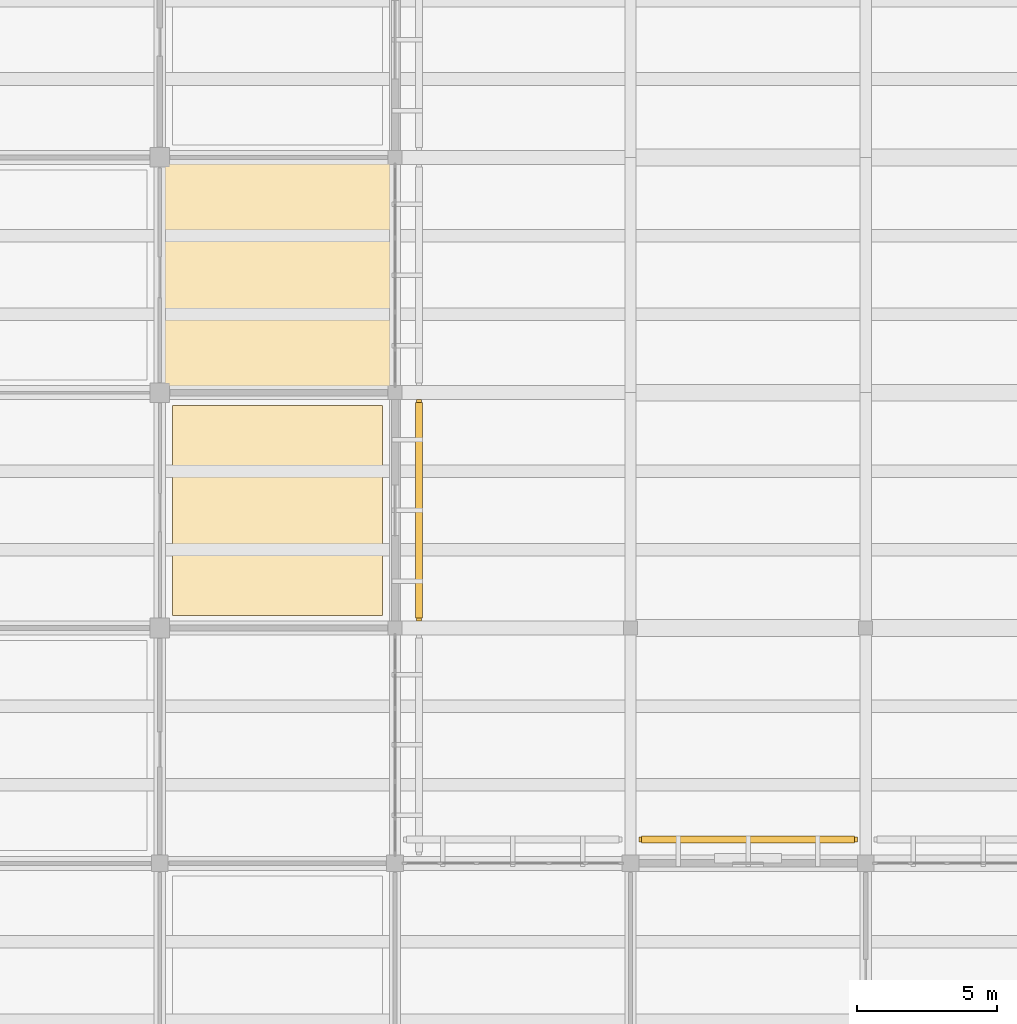
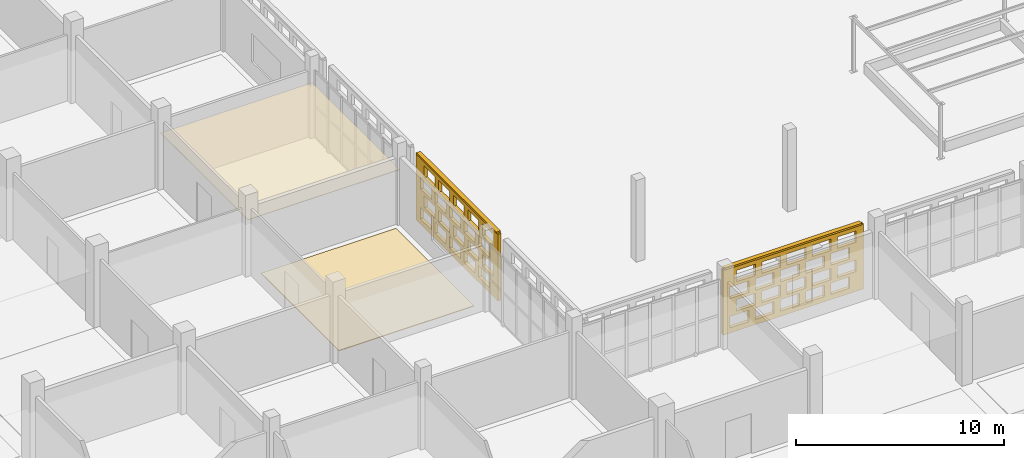
# One storey, part 89 of 129: 4 coverings, 2 shading devices, 40 openings.
"""IFC4 building model written with IfcOpenShell, lengths in metres."""

from ifc_helpers import new_model, si_unit, direction, frame, frame_2d, origin, origin_2d, place, context, subcontext, project, spatial, rectangle, extrude, material, layer, layer_set, type_object, element, save


model = new_model("IFC4")

# Units and contexts
model_context = context("Model", 3, precision=1e-05, world=origin(), true_north=direction((0.0, 1.0)))
body_context = subcontext(model_context, "Body", "Model", "MODEL_VIEW")
ifc_project = project(units=[si_unit("LENGTHUNIT", "METRE"), si_unit("AREAUNIT", "SQUARE_METRE"), si_unit("VOLUMEUNIT", "CUBIC_METRE"), si_unit("PLANEANGLEUNIT", "RADIAN"), si_unit("MASSUNIT", "GRAM", prefix="KILO")], contexts=[model_context])

# Site, building, storey
site_placement = place(None, origin())
site = spatial("IfcSite", under=ifc_project, at=site_placement, CompositionType="ELEMENT")
building_placement = place(site_placement, origin())
building = spatial("IfcBuilding", under=site, at=building_placement, Name="Varnapada Polytechnic", CompositionType="ELEMENT")
storey_placement = place(building_placement, origin())
storey = spatial("IfcBuildingStorey", under=building, at=storey_placement, Name="L00", CompositionType="ELEMENT", Elevation=0.0)

# Coverings
ifc_material_1 = material(Name="Acoustic Rubber Seminar Flooring")
ifc_layer_1 = layer(ifc_material_1, 0.0400390625)
ifc_layer_set_1 = layer_set([ifc_layer_1], Name="Acoustic Rubber Seminar Flooring")
covering_type_1 = type_object("IfcCoveringType", Name="Floor Finish FLR-06", PredefinedType="FLOORING", material=ifc_layer_set_1)
covering_1_placement = place(storey_placement, frame((37.800048828125, 54.60009765625, 0.0), z_axis=(0.0, 0.0, 1.0), x_axis=(1.0, 0.0, 0.0)))
element("IfcCovering", 1, at=covering_1_placement, inside=storey, type_object=covering_type_1, Name="L00 floor finish panel (5,7)", PredefinedType="FLOORING", context=body_context, shape_type="SweptSolid", body=[
    extrude(rectangle(XDim=7.5, YDim=7.5, at=origin_2d()), origin(), (0.0, 0.0, 1.0), 0.0400390625),
])
ifc_material_2 = material(Name="Cleanroom Laboratory Metal Pan Ceiling")
ifc_layer_2 = layer(ifc_material_2, 0.034912109375)
ifc_layer_set_2 = layer_set([ifc_layer_2], Name="Cleanroom Laboratory Metal Pan Ceiling")
covering_type_2 = type_object("IfcCoveringType", Name="Suspended Ceiling CLG-06", PredefinedType="CEILING", material=ifc_layer_set_2)
covering_2_placement = place(storey_placement, frame((37.800048828125, 63.0, 3.03271484375), z_axis=(0.0, 0.0, 1.0), x_axis=(1.0, 0.0, 0.0)))
element("IfcCovering", 2, at=covering_2_placement, inside=storey, type_object=covering_type_2, Name="L00 suspended acoustic ceiling (5,8)", PredefinedType="CEILING", context=body_context, shape_type="SweptSolid", body=[
    extrude(rectangle(XDim=8.419921875, YDim=8.419921875, at=origin_2d()), origin(), (0.0, 0.0, 1.0), 0.034912109375),
])

# Covering, openings
ifc_material_3 = material(Name="Earth-toned architectural terracotta screen block", Category="masonry")
ifc_layer_3 = layer(ifc_material_3, 0.1201171875)
ifc_layer_set_3 = layer_set([ifc_layer_3], Name="Earth-toned architectural terracotta screen block")
covering_type_3 = type_object("IfcCoveringType", Name="Terracotta Screen Cladding CLD-01", PredefinedType="CLADDING", material=ifc_layer_set_3)
covering_3_placement = place(storey_placement, frame((42.85009765625, 58.550048828125, 0.0), z_axis=(0.0, 0.0, 1.0), x_axis=(0.0, -1.0, 0.0)))
covering_3 = element("IfcCovering", 3, at=covering_3_placement, inside=storey, type_object=covering_type_3, Name="L00 perforated terracotta block screen (26)", PredefinedType="CLADDING", context=body_context, shape_type="SweptSolid", body=[
    extrude(rectangle(XDim=7.900146484375, YDim=0.179931640625, at=frame_2d((3.9501953125, 0.0))), origin(), (0.0, 0.0, 1.0), 3.919921875),
])
opening_1_placement = place(covering_3_placement, frame((0.449951171875, 0.0, 0.313720703125)))
element("IfcOpeningElement", 4, at=opening_1_placement, cuts=covering_3, Name="Screen perforation TBS-L00-025.1", PredefinedType="OPENING", context=body_context, shape_type="SweptSolid", body=[
    extrude(rectangle(XDim=1.0400390625, YDim=0.679931640625, at=frame_2d((0.52001953125, 0.33984375))), frame((0.0, 0.099853515625, 0.0), z_axis=(0.0, -1.0, 0.0), x_axis=(1.0, 0.0, 0.0)), (0.0, 0.0, 1.0), 0.199951171875),
])
opening_2_placement = place(covering_3_placement, frame((1.85009765625, 0.0, 0.313720703125)))
element("IfcOpeningElement", 5, at=opening_2_placement, cuts=covering_3, Name="Screen perforation TBS-L00-025.2", PredefinedType="OPENING", context=body_context, shape_type="SweptSolid", body=[
    extrude(rectangle(XDim=1.0400390625, YDim=0.679931640625, at=frame_2d((0.52001953125, 0.33984375))), frame((0.0, 0.099853515625, 0.0), z_axis=(0.0, -1.0, 0.0), x_axis=(1.0, 0.0, 0.0)), (0.0, 0.0, 1.0), 0.199951171875),
])
opening_3_placement = place(covering_3_placement, frame((3.25, 0.0, 0.313720703125)))
element("IfcOpeningElement", 6, at=opening_3_placement, cuts=covering_3, Name="Screen perforation TBS-L00-025.3", PredefinedType="OPENING", context=body_context, shape_type="SweptSolid", body=[
    extrude(rectangle(XDim=1.0400390625, YDim=0.679931640625, at=frame_2d((0.52001953125, 0.33984375))), frame((0.0, 0.099853515625, 0.0), z_axis=(0.0, -1.0, 0.0), x_axis=(1.0, 0.0, 0.0)), (0.0, 0.0, 1.0), 0.199951171875),
])
opening_4_placement = place(covering_3_placement, frame((4.64990234375, 0.0, 0.313720703125)))
element("IfcOpeningElement", 7, at=opening_4_placement, cuts=covering_3, Name="Screen perforation TBS-L00-025.4", PredefinedType="OPENING", context=body_context, shape_type="SweptSolid", body=[
    extrude(rectangle(XDim=1.0400390625, YDim=0.679931640625, at=frame_2d((0.52001953125, 0.33984375))), frame((0.0, 0.099853515625, 0.0), z_axis=(0.0, -1.0, 0.0), x_axis=(1.0, 0.0, 0.0)), (0.0, 0.0, 1.0), 0.199951171875),
])
opening_5_placement = place(covering_3_placement, frame((6.050048828125, 0.0, 0.313720703125)))
element("IfcOpeningElement", 8, at=opening_5_placement, cuts=covering_3, Name="Screen perforation TBS-L00-025.5", PredefinedType="OPENING", context=body_context, shape_type="SweptSolid", body=[
    extrude(rectangle(XDim=1.0400390625, YDim=0.679931640625, at=frame_2d((0.52001953125, 0.33984375))), frame((0.0, 0.099853515625, 0.0), z_axis=(0.0, -1.0, 0.0), x_axis=(1.0, 0.0, 0.0)), (0.0, 0.0, 1.0), 0.199951171875),
])
opening_6_placement = place(covering_3_placement, frame((0.81005859375, 0.0, 1.195556640625)))
element("IfcOpeningElement", 9, at=opening_6_placement, cuts=covering_3, Name="Screen perforation TBS-L00-025.6", PredefinedType="OPENING", context=body_context, shape_type="SweptSolid", body=[
    extrude(rectangle(XDim=1.0400390625, YDim=0.679931640625, at=frame_2d((0.52001953125, 0.33984375))), frame((0.0, 0.099853515625, 0.0), z_axis=(0.0, -1.0, 0.0), x_axis=(1.0, 0.0, 0.0)), (0.0, 0.0, 1.0), 0.199951171875),
])
opening_7_placement = place(covering_3_placement, frame((2.2099609375, 0.0, 1.195556640625)))
element("IfcOpeningElement", 10, at=opening_7_placement, cuts=covering_3, Name="Screen perforation TBS-L00-025.7", PredefinedType="OPENING", context=body_context, shape_type="SweptSolid", body=[
    extrude(rectangle(XDim=1.0400390625, YDim=0.679931640625, at=frame_2d((0.52001953125, 0.33984375))), frame((0.0, 0.099853515625, 0.0), z_axis=(0.0, -1.0, 0.0), x_axis=(1.0, 0.0, 0.0)), (0.0, 0.0, 1.0), 0.199951171875),
])
opening_8_placement = place(covering_3_placement, frame((3.610107421875, 0.0, 1.195556640625)))
element("IfcOpeningElement", 11, at=opening_8_placement, cuts=covering_3, Name="Screen perforation TBS-L00-025.8", PredefinedType="OPENING", context=body_context, shape_type="SweptSolid", body=[
    extrude(rectangle(XDim=1.0400390625, YDim=0.679931640625, at=frame_2d((0.52001953125, 0.33984375))), frame((0.0, 0.099853515625, 0.0), z_axis=(0.0, -1.0, 0.0), x_axis=(1.0, 0.0, 0.0)), (0.0, 0.0, 1.0), 0.199951171875),
])
opening_9_placement = place(covering_3_placement, frame((5.010009765625, 0.0, 1.195556640625)))
element("IfcOpeningElement", 12, at=opening_9_placement, cuts=covering_3, Name="Screen perforation TBS-L00-025.9", PredefinedType="OPENING", context=body_context, shape_type="SweptSolid", body=[
    extrude(rectangle(XDim=1.0400390625, YDim=0.679931640625, at=frame_2d((0.52001953125, 0.33984375))), frame((0.0, 0.099853515625, 0.0), z_axis=(0.0, -1.0, 0.0), x_axis=(1.0, 0.0, 0.0)), (0.0, 0.0, 1.0), 0.199951171875),
])
opening_10_placement = place(covering_3_placement, frame((6.409912109375, 0.0, 1.195556640625)))
element("IfcOpeningElement", 13, at=opening_10_placement, cuts=covering_3, Name="Screen perforation TBS-L00-025.10", PredefinedType="OPENING", context=body_context, shape_type="SweptSolid", body=[
    extrude(rectangle(XDim=1.0400390625, YDim=0.679931640625, at=frame_2d((0.52001953125, 0.33984375))), frame((0.0, 0.099853515625, 0.0), z_axis=(0.0, -1.0, 0.0), x_axis=(1.0, 0.0, 0.0)), (0.0, 0.0, 1.0), 0.199951171875),
])
opening_11_placement = place(covering_3_placement, frame((0.449951171875, 0.0, 2.07763671875)))
element("IfcOpeningElement", 14, at=opening_11_placement, cuts=covering_3, Name="Screen perforation TBS-L00-025.11", PredefinedType="OPENING", context=body_context, shape_type="SweptSolid", body=[
    extrude(rectangle(XDim=1.0400390625, YDim=0.679931640625, at=frame_2d((0.52001953125, 0.33984375))), frame((0.0, 0.099853515625, 0.0), z_axis=(0.0, -1.0, 0.0), x_axis=(1.0, 0.0, 0.0)), (0.0, 0.0, 1.0), 0.199951171875),
])
opening_12_placement = place(covering_3_placement, frame((1.85009765625, 0.0, 2.07763671875)))
element("IfcOpeningElement", 15, at=opening_12_placement, cuts=covering_3, Name="Screen perforation TBS-L00-025.12", PredefinedType="OPENING", context=body_context, shape_type="SweptSolid", body=[
    extrude(rectangle(XDim=1.0400390625, YDim=0.679931640625, at=frame_2d((0.52001953125, 0.33984375))), frame((0.0, 0.099853515625, 0.0), z_axis=(0.0, -1.0, 0.0), x_axis=(1.0, 0.0, 0.0)), (0.0, 0.0, 1.0), 0.199951171875),
])
opening_13_placement = place(covering_3_placement, frame((3.25, 0.0, 2.07763671875)))
element("IfcOpeningElement", 16, at=opening_13_placement, cuts=covering_3, Name="Screen perforation TBS-L00-025.13", PredefinedType="OPENING", context=body_context, shape_type="SweptSolid", body=[
    extrude(rectangle(XDim=1.0400390625, YDim=0.679931640625, at=frame_2d((0.52001953125, 0.33984375))), frame((0.0, 0.099853515625, 0.0), z_axis=(0.0, -1.0, 0.0), x_axis=(1.0, 0.0, 0.0)), (0.0, 0.0, 1.0), 0.199951171875),
])
opening_14_placement = place(covering_3_placement, frame((4.64990234375, 0.0, 2.07763671875)))
element("IfcOpeningElement", 17, at=opening_14_placement, cuts=covering_3, Name="Screen perforation TBS-L00-025.14", PredefinedType="OPENING", context=body_context, shape_type="SweptSolid", body=[
    extrude(rectangle(XDim=1.0400390625, YDim=0.679931640625, at=frame_2d((0.52001953125, 0.33984375))), frame((0.0, 0.099853515625, 0.0), z_axis=(0.0, -1.0, 0.0), x_axis=(1.0, 0.0, 0.0)), (0.0, 0.0, 1.0), 0.199951171875),
])
opening_15_placement = place(covering_3_placement, frame((6.050048828125, 0.0, 2.07763671875)))
element("IfcOpeningElement", 18, at=opening_15_placement, cuts=covering_3, Name="Screen perforation TBS-L00-025.15", PredefinedType="OPENING", context=body_context, shape_type="SweptSolid", body=[
    extrude(rectangle(XDim=1.0400390625, YDim=0.679931640625, at=frame_2d((0.52001953125, 0.33984375))), frame((0.0, 0.099853515625, 0.0), z_axis=(0.0, -1.0, 0.0), x_axis=(1.0, 0.0, 0.0)), (0.0, 0.0, 1.0), 0.199951171875),
])
opening_16_placement = place(covering_3_placement, frame((0.81005859375, 0.0, 2.959716796875)))
element("IfcOpeningElement", 19, at=opening_16_placement, cuts=covering_3, Name="Screen perforation TBS-L00-025.16", PredefinedType="OPENING", context=body_context, shape_type="SweptSolid", body=[
    extrude(rectangle(XDim=1.0400390625, YDim=0.679931640625, at=frame_2d((0.52001953125, 0.33984375))), frame((0.0, 0.099853515625, 0.0), z_axis=(0.0, -1.0, 0.0), x_axis=(1.0, 0.0, 0.0)), (0.0, 0.0, 1.0), 0.199951171875),
])
opening_17_placement = place(covering_3_placement, frame((2.2099609375, 0.0, 2.959716796875)))
element("IfcOpeningElement", 20, at=opening_17_placement, cuts=covering_3, Name="Screen perforation TBS-L00-025.17", PredefinedType="OPENING", context=body_context, shape_type="SweptSolid", body=[
    extrude(rectangle(XDim=1.0400390625, YDim=0.679931640625, at=frame_2d((0.52001953125, 0.33984375))), frame((0.0, 0.099853515625, 0.0), z_axis=(0.0, -1.0, 0.0), x_axis=(1.0, 0.0, 0.0)), (0.0, 0.0, 1.0), 0.199951171875),
])
opening_18_placement = place(covering_3_placement, frame((3.610107421875, 0.0, 2.959716796875)))
element("IfcOpeningElement", 21, at=opening_18_placement, cuts=covering_3, Name="Screen perforation TBS-L00-025.18", PredefinedType="OPENING", context=body_context, shape_type="SweptSolid", body=[
    extrude(rectangle(XDim=1.0400390625, YDim=0.679931640625, at=frame_2d((0.52001953125, 0.33984375))), frame((0.0, 0.099853515625, 0.0), z_axis=(0.0, -1.0, 0.0), x_axis=(1.0, 0.0, 0.0)), (0.0, 0.0, 1.0), 0.199951171875),
])
opening_19_placement = place(covering_3_placement, frame((5.010009765625, 0.0, 2.959716796875)))
element("IfcOpeningElement", 22, at=opening_19_placement, cuts=covering_3, Name="Screen perforation TBS-L00-025.19", PredefinedType="OPENING", context=body_context, shape_type="SweptSolid", body=[
    extrude(rectangle(XDim=1.0400390625, YDim=0.679931640625, at=frame_2d((0.52001953125, 0.33984375))), frame((0.0, 0.099853515625, 0.0), z_axis=(0.0, -1.0, 0.0), x_axis=(1.0, 0.0, 0.0)), (0.0, 0.0, 1.0), 0.199951171875),
])
opening_20_placement = place(covering_3_placement, frame((6.409912109375, 0.0, 2.959716796875)))
element("IfcOpeningElement", 23, at=opening_20_placement, cuts=covering_3, Name="Screen perforation TBS-L00-025.20", PredefinedType="OPENING", context=body_context, shape_type="SweptSolid", body=[
    extrude(rectangle(XDim=1.0400390625, YDim=0.679931640625, at=frame_2d((0.52001953125, 0.33984375))), frame((0.0, 0.099853515625, 0.0), z_axis=(0.0, -1.0, 0.0), x_axis=(1.0, 0.0, 0.0)), (0.0, 0.0, 1.0), 0.199951171875),
])

covering_4_placement = place(storey_placement, frame((50.699951171875, 42.85009765625, 0.0), z_axis=(0.0, 0.0, 1.0), x_axis=(1.0, 0.0, 0.0)))
covering_4 = element("IfcCovering", 24, at=covering_4_placement, inside=storey, type_object=covering_type_3, Name="L00 perforated terracotta block screen (40)", PredefinedType="CLADDING", context=body_context, shape_type="SweptSolid", body=[
    extrude(rectangle(XDim=7.800048828125, YDim=0.179931640625, at=frame_2d((3.89990234375, 0.0))), origin(), (0.0, 0.0, 1.0), 3.820068359375),
])
opening_21_placement = place(covering_4_placement, frame((0.39990234375, 0.0, 0.3056640625)))
element("IfcOpeningElement", 25, at=opening_21_placement, cuts=covering_4, Name="Screen perforation TBS-L00-039.1", PredefinedType="OPENING", context=body_context, shape_type="SweptSolid", body=[
    extrude(rectangle(XDim=1.0400390625, YDim=0.66845703125, at=frame_2d((0.52001953125, 0.334228515625))), frame((0.0, 0.099853515625, 0.0), z_axis=(0.0, -1.0, 0.0), x_axis=(1.0, 0.0, 0.0)), (0.0, 0.0, 1.0), 0.199951171875),
])
opening_22_placement = place(covering_4_placement, frame((1.800048828125, 0.0, 0.3056640625)))
element("IfcOpeningElement", 26, at=opening_22_placement, cuts=covering_4, Name="Screen perforation TBS-L00-039.2", PredefinedType="OPENING", context=body_context, shape_type="SweptSolid", body=[
    extrude(rectangle(XDim=1.0400390625, YDim=0.66845703125, at=frame_2d((0.52001953125, 0.334228515625))), frame((0.0, 0.099853515625, 0.0), z_axis=(0.0, -1.0, 0.0), x_axis=(1.0, 0.0, 0.0)), (0.0, 0.0, 1.0), 0.199951171875),
])
opening_23_placement = place(covering_4_placement, frame((3.199951171875, 0.0, 0.3056640625)))
element("IfcOpeningElement", 27, at=opening_23_placement, cuts=covering_4, Name="Screen perforation TBS-L00-039.3", PredefinedType="OPENING", context=body_context, shape_type="SweptSolid", body=[
    extrude(rectangle(XDim=1.0400390625, YDim=0.66845703125, at=frame_2d((0.52001953125, 0.334228515625))), frame((0.0, 0.099853515625, 0.0), z_axis=(0.0, -1.0, 0.0), x_axis=(1.0, 0.0, 0.0)), (0.0, 0.0, 1.0), 0.199951171875),
])
opening_24_placement = place(covering_4_placement, frame((4.60009765625, 0.0, 0.3056640625)))
element("IfcOpeningElement", 28, at=opening_24_placement, cuts=covering_4, Name="Screen perforation TBS-L00-039.4", PredefinedType="OPENING", context=body_context, shape_type="SweptSolid", body=[
    extrude(rectangle(XDim=1.0400390625, YDim=0.66845703125, at=frame_2d((0.52001953125, 0.334228515625))), frame((0.0, 0.099853515625, 0.0), z_axis=(0.0, -1.0, 0.0), x_axis=(1.0, 0.0, 0.0)), (0.0, 0.0, 1.0), 0.199951171875),
])
opening_25_placement = place(covering_4_placement, frame((6.0, 0.0, 0.3056640625)))
element("IfcOpeningElement", 29, at=opening_25_placement, cuts=covering_4, Name="Screen perforation TBS-L00-039.5", PredefinedType="OPENING", context=body_context, shape_type="SweptSolid", body=[
    extrude(rectangle(XDim=1.0400390625, YDim=0.66845703125, at=frame_2d((0.52001953125, 0.334228515625))), frame((0.0, 0.099853515625, 0.0), z_axis=(0.0, -1.0, 0.0), x_axis=(1.0, 0.0, 0.0)), (0.0, 0.0, 1.0), 0.199951171875),
])
opening_26_placement = place(covering_4_placement, frame((0.760009765625, 0.0, 1.1650390625)))
element("IfcOpeningElement", 30, at=opening_26_placement, cuts=covering_4, Name="Screen perforation TBS-L00-039.6", PredefinedType="OPENING", context=body_context, shape_type="SweptSolid", body=[
    extrude(rectangle(XDim=1.0400390625, YDim=0.66845703125, at=frame_2d((0.52001953125, 0.334228515625))), frame((0.0, 0.099853515625, 0.0), z_axis=(0.0, -1.0, 0.0), x_axis=(1.0, 0.0, 0.0)), (0.0, 0.0, 1.0), 0.199951171875),
])
opening_27_placement = place(covering_4_placement, frame((2.159912109375, 0.0, 1.1650390625)))
element("IfcOpeningElement", 31, at=opening_27_placement, cuts=covering_4, Name="Screen perforation TBS-L00-039.7", PredefinedType="OPENING", context=body_context, shape_type="SweptSolid", body=[
    extrude(rectangle(XDim=1.0400390625, YDim=0.66845703125, at=frame_2d((0.52001953125, 0.334228515625))), frame((0.0, 0.099853515625, 0.0), z_axis=(0.0, -1.0, 0.0), x_axis=(1.0, 0.0, 0.0)), (0.0, 0.0, 1.0), 0.199951171875),
])
opening_28_placement = place(covering_4_placement, frame((3.56005859375, 0.0, 1.1650390625)))
element("IfcOpeningElement", 32, at=opening_28_placement, cuts=covering_4, Name="Screen perforation TBS-L00-039.8", PredefinedType="OPENING", context=body_context, shape_type="SweptSolid", body=[
    extrude(rectangle(XDim=1.0400390625, YDim=0.66845703125, at=frame_2d((0.52001953125, 0.334228515625))), frame((0.0, 0.099853515625, 0.0), z_axis=(0.0, -1.0, 0.0), x_axis=(1.0, 0.0, 0.0)), (0.0, 0.0, 1.0), 0.199951171875),
])
opening_29_placement = place(covering_4_placement, frame((4.9599609375, 0.0, 1.1650390625)))
element("IfcOpeningElement", 33, at=opening_29_placement, cuts=covering_4, Name="Screen perforation TBS-L00-039.9", PredefinedType="OPENING", context=body_context, shape_type="SweptSolid", body=[
    extrude(rectangle(XDim=1.0400390625, YDim=0.66845703125, at=frame_2d((0.52001953125, 0.334228515625))), frame((0.0, 0.099853515625, 0.0), z_axis=(0.0, -1.0, 0.0), x_axis=(1.0, 0.0, 0.0)), (0.0, 0.0, 1.0), 0.199951171875),
])
opening_30_placement = place(covering_4_placement, frame((6.360107421875, 0.0, 1.1650390625)))
element("IfcOpeningElement", 34, at=opening_30_placement, cuts=covering_4, Name="Screen perforation TBS-L00-039.10", PredefinedType="OPENING", context=body_context, shape_type="SweptSolid", body=[
    extrude(rectangle(XDim=1.0400390625, YDim=0.66845703125, at=frame_2d((0.52001953125, 0.334228515625))), frame((0.0, 0.099853515625, 0.0), z_axis=(0.0, -1.0, 0.0), x_axis=(1.0, 0.0, 0.0)), (0.0, 0.0, 1.0), 0.199951171875),
])
opening_31_placement = place(covering_4_placement, frame((0.39990234375, 0.0, 2.024658203125)))
element("IfcOpeningElement", 35, at=opening_31_placement, cuts=covering_4, Name="Screen perforation TBS-L00-039.11", PredefinedType="OPENING", context=body_context, shape_type="SweptSolid", body=[
    extrude(rectangle(XDim=1.0400390625, YDim=0.66845703125, at=frame_2d((0.52001953125, 0.334228515625))), frame((0.0, 0.099853515625, 0.0), z_axis=(0.0, -1.0, 0.0), x_axis=(1.0, 0.0, 0.0)), (0.0, 0.0, 1.0), 0.199951171875),
])
opening_32_placement = place(covering_4_placement, frame((1.800048828125, 0.0, 2.024658203125)))
element("IfcOpeningElement", 36, at=opening_32_placement, cuts=covering_4, Name="Screen perforation TBS-L00-039.12", PredefinedType="OPENING", context=body_context, shape_type="SweptSolid", body=[
    extrude(rectangle(XDim=1.0400390625, YDim=0.66845703125, at=frame_2d((0.52001953125, 0.334228515625))), frame((0.0, 0.099853515625, 0.0), z_axis=(0.0, -1.0, 0.0), x_axis=(1.0, 0.0, 0.0)), (0.0, 0.0, 1.0), 0.199951171875),
])
opening_33_placement = place(covering_4_placement, frame((3.199951171875, 0.0, 2.024658203125)))
element("IfcOpeningElement", 37, at=opening_33_placement, cuts=covering_4, Name="Screen perforation TBS-L00-039.13", PredefinedType="OPENING", context=body_context, shape_type="SweptSolid", body=[
    extrude(rectangle(XDim=1.0400390625, YDim=0.66845703125, at=frame_2d((0.52001953125, 0.334228515625))), frame((0.0, 0.099853515625, 0.0), z_axis=(0.0, -1.0, 0.0), x_axis=(1.0, 0.0, 0.0)), (0.0, 0.0, 1.0), 0.199951171875),
])
opening_34_placement = place(covering_4_placement, frame((4.60009765625, 0.0, 2.024658203125)))
element("IfcOpeningElement", 38, at=opening_34_placement, cuts=covering_4, Name="Screen perforation TBS-L00-039.14", PredefinedType="OPENING", context=body_context, shape_type="SweptSolid", body=[
    extrude(rectangle(XDim=1.0400390625, YDim=0.66845703125, at=frame_2d((0.52001953125, 0.334228515625))), frame((0.0, 0.099853515625, 0.0), z_axis=(0.0, -1.0, 0.0), x_axis=(1.0, 0.0, 0.0)), (0.0, 0.0, 1.0), 0.199951171875),
])
opening_35_placement = place(covering_4_placement, frame((6.0, 0.0, 2.024658203125)))
element("IfcOpeningElement", 39, at=opening_35_placement, cuts=covering_4, Name="Screen perforation TBS-L00-039.15", PredefinedType="OPENING", context=body_context, shape_type="SweptSolid", body=[
    extrude(rectangle(XDim=1.0400390625, YDim=0.66845703125, at=frame_2d((0.52001953125, 0.334228515625))), frame((0.0, 0.099853515625, 0.0), z_axis=(0.0, -1.0, 0.0), x_axis=(1.0, 0.0, 0.0)), (0.0, 0.0, 1.0), 0.199951171875),
])
opening_36_placement = place(covering_4_placement, frame((0.760009765625, 0.0, 2.884033203125)))
element("IfcOpeningElement", 40, at=opening_36_placement, cuts=covering_4, Name="Screen perforation TBS-L00-039.16", PredefinedType="OPENING", context=body_context, shape_type="SweptSolid", body=[
    extrude(rectangle(XDim=1.0400390625, YDim=0.66845703125, at=frame_2d((0.52001953125, 0.334228515625))), frame((0.0, 0.099853515625, 0.0), z_axis=(0.0, -1.0, 0.0), x_axis=(1.0, 0.0, 0.0)), (0.0, 0.0, 1.0), 0.199951171875),
])
opening_37_placement = place(covering_4_placement, frame((2.159912109375, 0.0, 2.884033203125)))
element("IfcOpeningElement", 41, at=opening_37_placement, cuts=covering_4, Name="Screen perforation TBS-L00-039.17", PredefinedType="OPENING", context=body_context, shape_type="SweptSolid", body=[
    extrude(rectangle(XDim=1.0400390625, YDim=0.66845703125, at=frame_2d((0.52001953125, 0.334228515625))), frame((0.0, 0.099853515625, 0.0), z_axis=(0.0, -1.0, 0.0), x_axis=(1.0, 0.0, 0.0)), (0.0, 0.0, 1.0), 0.199951171875),
])
opening_38_placement = place(covering_4_placement, frame((3.56005859375, 0.0, 2.884033203125)))
element("IfcOpeningElement", 42, at=opening_38_placement, cuts=covering_4, Name="Screen perforation TBS-L00-039.18", PredefinedType="OPENING", context=body_context, shape_type="SweptSolid", body=[
    extrude(rectangle(XDim=1.0400390625, YDim=0.66845703125, at=frame_2d((0.52001953125, 0.334228515625))), frame((0.0, 0.099853515625, 0.0), z_axis=(0.0, -1.0, 0.0), x_axis=(1.0, 0.0, 0.0)), (0.0, 0.0, 1.0), 0.199951171875),
])
opening_39_placement = place(covering_4_placement, frame((4.9599609375, 0.0, 2.884033203125)))
element("IfcOpeningElement", 43, at=opening_39_placement, cuts=covering_4, Name="Screen perforation TBS-L00-039.19", PredefinedType="OPENING", context=body_context, shape_type="SweptSolid", body=[
    extrude(rectangle(XDim=1.0400390625, YDim=0.66845703125, at=frame_2d((0.52001953125, 0.334228515625))), frame((0.0, 0.099853515625, 0.0), z_axis=(0.0, -1.0, 0.0), x_axis=(1.0, 0.0, 0.0)), (0.0, 0.0, 1.0), 0.199951171875),
])
opening_40_placement = place(covering_4_placement, frame((6.360107421875, 0.0, 2.884033203125)))
element("IfcOpeningElement", 44, at=opening_40_placement, cuts=covering_4, Name="Screen perforation TBS-L00-039.20", PredefinedType="OPENING", context=body_context, shape_type="SweptSolid", body=[
    extrude(rectangle(XDim=1.0400390625, YDim=0.66845703125, at=frame_2d((0.52001953125, 0.334228515625))), frame((0.0, 0.099853515625, 0.0), z_axis=(0.0, -1.0, 0.0), x_axis=(1.0, 0.0, 0.0)), (0.0, 0.0, 1.0), 0.199951171875),
])

# Shading devices
ifc_layer_4 = layer(ifc_material_3, 0.179931640625)
ifc_layer_set_4 = layer_set([ifc_layer_4], Name="Earth-toned architectural terracotta screen block")
shading_device_type = type_object("IfcShadingDeviceType", Name="Terracotta Screen SCR-02", PredefinedType="USERDEFINED", material=ifc_layer_set_4)
shading_device_1_placement = place(storey_placement, frame((42.85009765625, 54.60009765625, 3.909912109375), z_axis=(0.0, 0.0, 1.0), x_axis=(0.0, -1.0, 0.0)))
element("IfcShadingDevice", 45, at=shading_device_1_placement, inside=storey, type_object=shading_device_type, Name="L00 perforated terracotta screen hood 21", ObjectType="SCREEN", PredefinedType="USERDEFINED", context=body_context, shape_type="SweptSolid", body=[
    extrude(rectangle(XDim=7.699951171875, YDim=0.239990234375, at=origin_2d()), origin(), (0.0, 0.0, 1.0), 0.10009765625),
])
shading_device_2_placement = place(storey_placement, frame((54.60009765625, 42.85009765625, 3.81005859375), z_axis=(0.0, 0.0, 1.0), x_axis=(1.0, 0.0, 0.0)))
element("IfcShadingDevice", 46, at=shading_device_2_placement, inside=storey, type_object=shading_device_type, Name="L00 perforated terracotta screen hood 32", ObjectType="SCREEN", PredefinedType="USERDEFINED", context=body_context, shape_type="SweptSolid", body=[
    extrude(rectangle(XDim=7.60009765625, YDim=0.239990234375, at=origin_2d()), origin(), (0.0, 0.0, 1.0), 0.10009765625),
])

save(model, "model.ifc")
